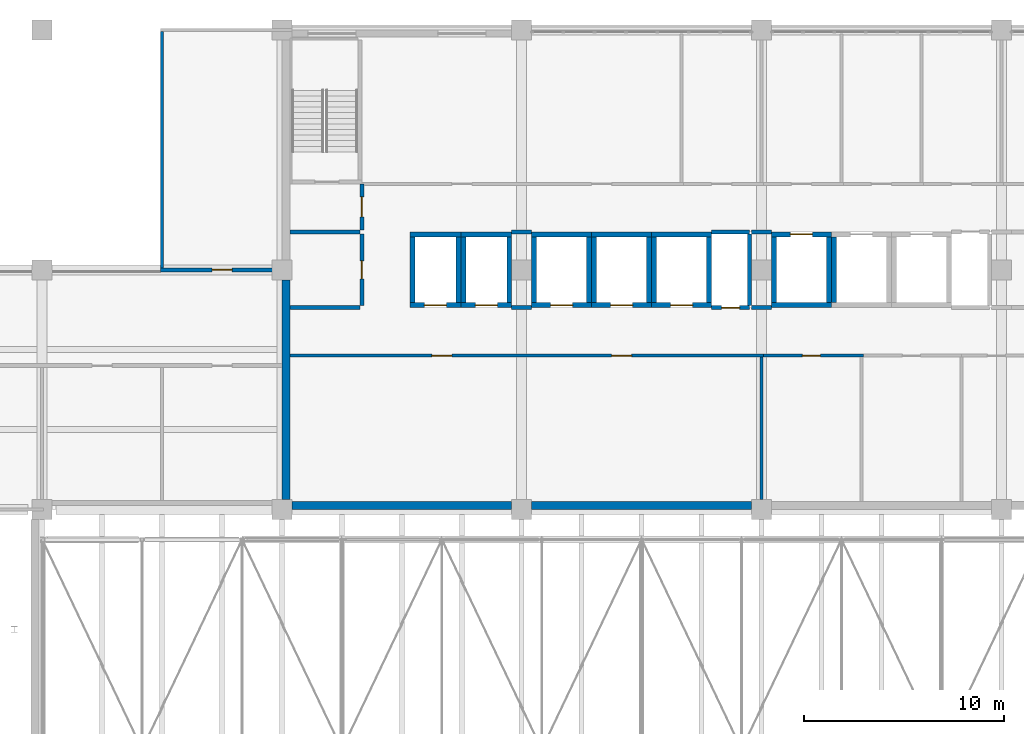
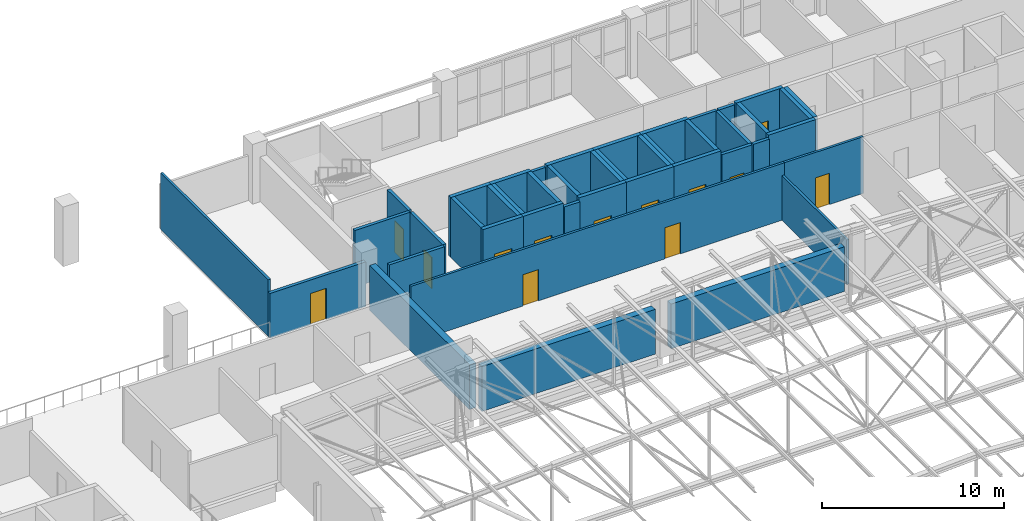
# One storey, part 148 of 156: 44 walls, 13 doors, 13 openings.
"""IFC4 building model written with IfcOpenShell, lengths in metres."""

from ifc_helpers import new_model, si_unit, direction, frame, frame_2d, origin, place, context, subcontext, project, spatial, rectangle, extrude, material, layer, layer_set, type_object, element, fill, save


model = new_model("IFC4")

# Units and contexts
model_context = context("Model", 3, precision=1e-05, world=origin(), true_north=direction((0.0, 1.0)))
body_context = subcontext(model_context, "Body", "Model", "MODEL_VIEW")
ifc_project = project(units=[si_unit("LENGTHUNIT", "METRE"), si_unit("AREAUNIT", "SQUARE_METRE"), si_unit("VOLUMEUNIT", "CUBIC_METRE"), si_unit("PLANEANGLEUNIT", "RADIAN"), si_unit("MASSUNIT", "GRAM", prefix="KILO")], contexts=[model_context])

# Site, building, storey
site_placement = place(None, origin())
site = spatial("IfcSite", under=ifc_project, at=site_placement, CompositionType="ELEMENT")
building_placement = place(site_placement, origin())
building = spatial("IfcBuilding", under=site, at=building_placement, Name="Lilac Gate Convention Centre", CompositionType="ELEMENT")
storey_placement = place(building_placement, frame((0.0, 0.0, 17.0)))
storey = spatial("IfcBuildingStorey", under=building, at=storey_placement, Name="L03", CompositionType="ELEMENT", Elevation=17.0)

# Wall, opening, door
ifc_material_1 = material(Name="Concrete C60", Category="concrete")
ifc_layer_1 = layer(ifc_material_1, 0.25)
ifc_layer_set_1 = layer_set([ifc_layer_1], Name="Concrete C60")
wall_type_1 = type_object("IfcWallType", Name="Core wall 250 C60", PredefinedType="SHEAR", material=ifc_layer_set_1)
wall_1_placement = place(storey_placement, frame((54.5, 232.22509765625, 0.0), z_axis=(0.0, 0.0, 1.0), x_axis=(1.0, 0.0, 0.0)))
wall_1 = element("IfcWall", 1, at=wall_1_placement, inside=storey, type_object=wall_type_1, Name="CRW3 core wall TC L03 1", PredefinedType="SHEAR", context=body_context, shape_type="SweptSolid", body=[
    extrude(rectangle(XDim=3.0, YDim=0.25, at=frame_2d((1.5, 0.0))), origin(), (0.0, 0.0, 1.0), 4.0),
])
opening_1_placement = place(wall_1_placement, frame((0.949951171875, 0.0, 0.0)))
opening_1 = element("IfcOpeningElement", 2, at=opening_1_placement, cuts=wall_1, Name="Opening T03-022", PredefinedType="OPENING", context=body_context, shape_type="SweptSolid", body=[
    extrude(rectangle(XDim=1.10009765625, YDim=2.10009765625, at=frame_2d((0.550048828125, 1.050048828125))), frame((0.0, 0.135009765625, 0.0), z_axis=(0.0, -1.0, 0.0), x_axis=(1.0, 0.0, 0.0)), (0.0, 0.0, 1.0), 0.27001953125),
])
ifc_material_2 = material(Name="Stainless steel 304", Category="steel")
door_type_1 = type_object("IfcDoorType", Name="Lift landing door 1100", OperationType="SLIDING_TO_LEFT", PredefinedType="DOOR", material=ifc_material_2)
door_1_placement = place(opening_1_placement, origin())
door_1 = element("IfcDoor", 3, at=door_1_placement, inside=storey, type_object=door_type_1, Name="Lift landing door TP1 L03", OperationType="SLIDING_TO_LEFT", OverallHeight=2.10009765625, OverallWidth=1.10009765625, PredefinedType="DOOR", context=body_context, shape_type="SweptSolid", body=[
    extrude(rectangle(XDim=1.10009765625, YDim=2.10009765625, at=frame_2d((0.550048828125, 1.050048828125))), frame((0.0, 0.02490234375, 0.0), z_axis=(0.0, -1.0, 0.0), x_axis=(1.0, 0.0, 0.0)), (0.0, 0.0, 1.0), 0.050048828125),
])
fill(opening_1, door_1)

# Walls
wall_2_placement = place(storey_placement, frame((54.5, 235.77490234375, 0.0), z_axis=(0.0, 0.0, 1.0), x_axis=(1.0, 0.0, 0.0)))
element("IfcWall", 4, at=wall_2_placement, inside=storey, type_object=wall_type_1, Name="CRW3 core wall TC L03 2", PredefinedType="SHEAR", context=body_context, shape_type="SweptSolid", body=[
    extrude(rectangle(XDim=3.0, YDim=0.25, at=frame_2d((1.5, 0.0))), origin(), (0.0, 0.0, 1.0), 4.0),
])
for number, where, z_axis, x_axis, name in (
    (5, (54.625, 232.35009765625, 0.0), (0.0, 0.0, 1.0), (0.0, 1.0, 0.0), "CRW3 core wall TC L03 3"),
    (6, (57.375, 232.35009765625, 0.0), (0.0, 0.0, 1.0), (0.0, 1.0, 0.0), "CRW3 core wall TC L03 4"),
):
    element("IfcWall", number, at=place(storey_placement, frame(where, z_axis=z_axis, x_axis=x_axis)), inside=storey, type_object=wall_type_1, Name=name, PredefinedType="SHEAR", context=body_context, shape_type="SweptSolid", body=[
        extrude(rectangle(XDim=3.2998046875, YDim=0.25, at=frame_2d((1.64990234375, 0.0))), origin(), (0.0, 0.0, 1.0), 4.0),
    ])

# Wall, opening, door
wall_3_placement = place(storey_placement, frame((57.5, 232.22509765625, 0.0), z_axis=(0.0, 0.0, 1.0), x_axis=(1.0, 0.0, 0.0)))
wall_3 = element("IfcWall", 7, at=wall_3_placement, inside=storey, type_object=wall_type_1, Name="CRW3 core wall TC L03 5", PredefinedType="SHEAR", context=body_context, shape_type="SweptSolid", body=[
    extrude(rectangle(XDim=3.0, YDim=0.25, at=frame_2d((1.5, 0.0))), origin(), (0.0, 0.0, 1.0), 4.0),
])
opening_2_placement = place(wall_3_placement, frame((0.949951171875, 0.0, 0.0)))
opening_2 = element("IfcOpeningElement", 8, at=opening_2_placement, cuts=wall_3, Name="Opening T03-023", PredefinedType="OPENING", context=body_context, shape_type="SweptSolid", body=[
    extrude(rectangle(XDim=1.10009765625, YDim=2.10009765625, at=frame_2d((0.550048828125, 1.050048828125))), frame((0.0, 0.135009765625, 0.0), z_axis=(0.0, -1.0, 0.0), x_axis=(1.0, 0.0, 0.0)), (0.0, 0.0, 1.0), 0.27001953125),
])
door_2_placement = place(opening_2_placement, origin())
door_2 = element("IfcDoor", 9, at=door_2_placement, inside=storey, type_object=door_type_1, Name="Lift landing door TP2 L03", OperationType="SLIDING_TO_LEFT", OverallHeight=2.10009765625, OverallWidth=1.10009765625, PredefinedType="DOOR", context=body_context, shape_type="SweptSolid", body=[
    extrude(rectangle(XDim=1.10009765625, YDim=2.10009765625, at=frame_2d((0.550048828125, 1.050048828125))), frame((0.0, 0.02490234375, 0.0), z_axis=(0.0, -1.0, 0.0), x_axis=(1.0, 0.0, 0.0)), (0.0, 0.0, 1.0), 0.050048828125),
])
fill(opening_2, door_2)

# Walls
wall_4_placement = place(storey_placement, frame((57.5, 235.77490234375, 0.0), z_axis=(0.0, 0.0, 1.0), x_axis=(1.0, 0.0, 0.0)))
element("IfcWall", 10, at=wall_4_placement, inside=storey, type_object=wall_type_1, Name="CRW3 core wall TC L03 6", PredefinedType="SHEAR", context=body_context, shape_type="SweptSolid", body=[
    extrude(rectangle(XDim=3.0, YDim=0.25, at=frame_2d((1.5, 0.0))), origin(), (0.0, 0.0, 1.0), 4.0),
])
for number, where, z_axis, x_axis, name in (
    (11, (57.625, 232.35009765625, 0.0), (0.0, 0.0, 1.0), (0.0, 1.0, 0.0), "CRW3 core wall TC L03 7"),
    (12, (60.375, 232.35009765625, 0.0), (0.0, 0.0, 1.0), (0.0, 1.0, 0.0), "CRW3 core wall TC L03 8"),
):
    element("IfcWall", number, at=place(storey_placement, frame(where, z_axis=z_axis, x_axis=x_axis)), inside=storey, type_object=wall_type_1, Name=name, PredefinedType="SHEAR", context=body_context, shape_type="SweptSolid", body=[
        extrude(rectangle(XDim=3.2998046875, YDim=0.25, at=frame_2d((1.64990234375, 0.0))), origin(), (0.0, 0.0, 1.0), 4.0),
    ])

# Wall, opening, door
wall_5_placement = place(storey_placement, frame((60.5, 232.22509765625, 0.0), z_axis=(0.0, 0.0, 1.0), x_axis=(1.0, 0.0, 0.0)))
wall_5 = element("IfcWall", 13, at=wall_5_placement, inside=storey, type_object=wall_type_1, Name="CRW3 core wall TC L03 9", PredefinedType="SHEAR", context=body_context, shape_type="SweptSolid", body=[
    extrude(rectangle(XDim=3.0, YDim=0.25, at=frame_2d((1.5, 0.0))), origin(), (0.0, 0.0, 1.0), 4.0),
])
opening_3_placement = place(wall_5_placement, frame((0.949951171875, 0.0, 0.0)))
opening_3 = element("IfcOpeningElement", 14, at=opening_3_placement, cuts=wall_5, Name="Opening T03-024", PredefinedType="OPENING", context=body_context, shape_type="SweptSolid", body=[
    extrude(rectangle(XDim=1.10009765625, YDim=2.10009765625, at=frame_2d((0.550048828125, 1.050048828125))), frame((0.0, 0.135009765625, 0.0), z_axis=(0.0, -1.0, 0.0), x_axis=(1.0, 0.0, 0.0)), (0.0, 0.0, 1.0), 0.27001953125),
])
door_3_placement = place(opening_3_placement, origin())
door_3 = element("IfcDoor", 15, at=door_3_placement, inside=storey, type_object=door_type_1, Name="Lift landing door TP3 L03", OperationType="SLIDING_TO_LEFT", OverallHeight=2.10009765625, OverallWidth=1.10009765625, PredefinedType="DOOR", context=body_context, shape_type="SweptSolid", body=[
    extrude(rectangle(XDim=1.10009765625, YDim=2.10009765625, at=frame_2d((0.550048828125, 1.050048828125))), frame((0.0, 0.02490234375, 0.0), z_axis=(0.0, -1.0, 0.0), x_axis=(1.0, 0.0, 0.0)), (0.0, 0.0, 1.0), 0.050048828125),
])
fill(opening_3, door_3)

# Walls
wall_6_placement = place(storey_placement, frame((60.5, 235.77490234375, 0.0), z_axis=(0.0, 0.0, 1.0), x_axis=(1.0, 0.0, 0.0)))
element("IfcWall", 16, at=wall_6_placement, inside=storey, type_object=wall_type_1, Name="CRW3 core wall TC L03 10", PredefinedType="SHEAR", context=body_context, shape_type="SweptSolid", body=[
    extrude(rectangle(XDim=3.0, YDim=0.25, at=frame_2d((1.5, 0.0))), origin(), (0.0, 0.0, 1.0), 4.0),
])
for number, where, z_axis, x_axis, name in (
    (17, (60.625, 232.35009765625, 0.0), (0.0, 0.0, 1.0), (0.0, 1.0, 0.0), "CRW3 core wall TC L03 11"),
    (18, (63.375, 232.35009765625, 0.0), (0.0, 0.0, 1.0), (0.0, 1.0, 0.0), "CRW3 core wall TC L03 12"),
):
    element("IfcWall", number, at=place(storey_placement, frame(where, z_axis=z_axis, x_axis=x_axis)), inside=storey, type_object=wall_type_1, Name=name, PredefinedType="SHEAR", context=body_context, shape_type="SweptSolid", body=[
        extrude(rectangle(XDim=3.2998046875, YDim=0.25, at=frame_2d((1.64990234375, 0.0))), origin(), (0.0, 0.0, 1.0), 4.0),
    ])
wall_7_placement = place(storey_placement, frame((66.5, 232.22509765625, 0.0), z_axis=(0.0, 0.0, 1.0), x_axis=(1.0, 0.0, 0.0)))
element("IfcWall", 19, at=wall_7_placement, inside=storey, type_object=wall_type_1, Name="CRW3 core wall TC L03 13", PredefinedType="SHEAR", context=body_context, shape_type="SweptSolid", body=[
    extrude(rectangle(XDim=3.0, YDim=0.25, at=frame_2d((1.5, 0.0))), origin(), (0.0, 0.0, 1.0), 4.0),
])

# Wall, opening, door
wall_8_placement = place(storey_placement, frame((66.5, 235.77490234375, 0.0), z_axis=(0.0, 0.0, 1.0), x_axis=(1.0, 0.0, 0.0)))
wall_8 = element("IfcWall", 20, at=wall_8_placement, inside=storey, type_object=wall_type_1, Name="CRW3 core wall TC L03 14", PredefinedType="SHEAR", context=body_context, shape_type="SweptSolid", body=[
    extrude(rectangle(XDim=3.0, YDim=0.25, at=frame_2d((1.5, 0.0))), origin(), (0.0, 0.0, 1.0), 4.0),
])
opening_4_placement = place(wall_8_placement, frame((0.949951171875, 0.0, 0.0)))
opening_4 = element("IfcOpeningElement", 21, at=opening_4_placement, cuts=wall_8, Name="Opening T03-025", PredefinedType="OPENING", context=body_context, shape_type="SweptSolid", body=[
    extrude(rectangle(XDim=1.10009765625, YDim=2.10009765625, at=frame_2d((0.550048828125, 1.050048828125))), frame((0.0, 0.135009765625, 0.0), z_axis=(0.0, -1.0, 0.0), x_axis=(1.0, 0.0, 0.0)), (0.0, 0.0, 1.0), 0.27001953125),
])
door_4_placement = place(opening_4_placement, origin())
door_4 = element("IfcDoor", 22, at=door_4_placement, inside=storey, type_object=door_type_1, Name="Lift landing door TP4 L03", OperationType="SLIDING_TO_LEFT", OverallHeight=2.10009765625, OverallWidth=1.10009765625, PredefinedType="DOOR", context=body_context, shape_type="SweptSolid", body=[
    extrude(rectangle(XDim=1.10009765625, YDim=2.10009765625, at=frame_2d((0.550048828125, 1.050048828125))), frame((0.0, 0.02490234375, 0.0), z_axis=(0.0, -1.0, 0.0), x_axis=(1.0, 0.0, 0.0)), (0.0, 0.0, 1.0), 0.050048828125),
])
fill(opening_4, door_4)

# Walls
for number, where, z_axis, x_axis, name in (
    (23, (66.625, 232.35009765625, 0.0), (0.0, 0.0, 1.0), (0.0, 1.0, 0.0), "CRW3 core wall TC L03 15"),
    (24, (69.375, 232.35009765625, 0.0), (0.0, 0.0, 1.0), (0.0, 1.0, 0.0), "CRW3 core wall TC L03 16"),
    (25, (69.625, 232.35009765625, 0.0), (0.0, 0.0, 1.0), (0.0, 1.0, 0.0), "CRW3 core wall TC L03 19"),
):
    element("IfcWall", number, at=place(storey_placement, frame(where, z_axis=z_axis, x_axis=x_axis)), inside=storey, type_object=wall_type_1, Name=name, PredefinedType="SHEAR", context=body_context, shape_type="SweptSolid", body=[
        extrude(rectangle(XDim=3.2998046875, YDim=0.25, at=frame_2d((1.64990234375, 0.0))), origin(), (0.0, 0.0, 1.0), 4.0),
    ])

# Wall, opening, door
wall_9_placement = place(storey_placement, frame((48.39990234375, 232.22509765625, 0.0), z_axis=(0.0, 0.0, 1.0), x_axis=(1.0, 0.0, 0.0)))
wall_9 = element("IfcWall", 26, at=wall_9_placement, inside=storey, type_object=wall_type_1, Name="CRW3 core wall TC L03 25", PredefinedType="SHEAR", context=body_context, shape_type="SweptSolid", body=[
    extrude(rectangle(XDim=2.550048828125, YDim=0.25, at=frame_2d((1.27490234375, 0.0))), origin(), (0.0, 0.0, 1.0), 4.0),
])
opening_5_placement = place(wall_9_placement, frame((0.72509765625, 0.0, 0.0)))
opening_5 = element("IfcOpeningElement", 27, at=opening_5_placement, cuts=wall_9, Name="Opening T03-028", PredefinedType="OPENING", context=body_context, shape_type="SweptSolid", body=[
    extrude(rectangle(XDim=1.10009765625, YDim=2.10009765625, at=frame_2d((0.550048828125, 1.050048828125))), frame((0.0, 0.135009765625, 0.0), z_axis=(0.0, -1.0, 0.0), x_axis=(1.0, 0.0, 0.0)), (0.0, 0.0, 1.0), 0.27001953125),
])
door_5_placement = place(opening_5_placement, origin())
door_5 = element("IfcDoor", 28, at=door_5_placement, inside=storey, type_object=door_type_1, Name="Lift landing door TS1 L03", OperationType="SLIDING_TO_LEFT", OverallHeight=2.10009765625, OverallWidth=1.10009765625, PredefinedType="DOOR", context=body_context, shape_type="SweptSolid", body=[
    extrude(rectangle(XDim=1.10009765625, YDim=2.10009765625, at=frame_2d((0.550048828125, 1.050048828125))), frame((0.0, 0.02490234375, 0.0), z_axis=(0.0, -1.0, 0.0), x_axis=(1.0, 0.0, 0.0)), (0.0, 0.0, 1.0), 0.050048828125),
])
fill(opening_5, door_5)

# Walls
wall_10_placement = place(storey_placement, frame((48.39990234375, 235.77490234375, 0.0), z_axis=(0.0, 0.0, 1.0), x_axis=(1.0, 0.0, 0.0)))
element("IfcWall", 29, at=wall_10_placement, inside=storey, type_object=wall_type_1, Name="CRW3 core wall TC L03 26", PredefinedType="SHEAR", context=body_context, shape_type="SweptSolid", body=[
    extrude(rectangle(XDim=2.550048828125, YDim=0.25, at=frame_2d((1.27490234375, 0.0))), origin(), (0.0, 0.0, 1.0), 4.0),
])
for number, where, z_axis, x_axis, name in (
    (30, (48.52490234375, 232.35009765625, 0.0), (0.0, 0.0, 1.0), (0.0, 1.0, 0.0), "CRW3 core wall TC L03 27"),
    (31, (50.824951171875, 232.35009765625, 0.0), (0.0, 0.0, 1.0), (0.0, 1.0, 0.0), "CRW3 core wall TC L03 28"),
):
    element("IfcWall", number, at=place(storey_placement, frame(where, z_axis=z_axis, x_axis=x_axis)), inside=storey, type_object=wall_type_1, Name=name, PredefinedType="SHEAR", context=body_context, shape_type="SweptSolid", body=[
        extrude(rectangle(XDim=3.2998046875, YDim=0.25, at=frame_2d((1.64990234375, 0.0))), origin(), (0.0, 0.0, 1.0), 4.0),
    ])

# Wall, opening, door
wall_11_placement = place(storey_placement, frame((50.949951171875, 232.22509765625, 0.0), z_axis=(0.0, 0.0, 1.0), x_axis=(1.0, 0.0, 0.0)))
wall_11 = element("IfcWall", 32, at=wall_11_placement, inside=storey, type_object=wall_type_1, Name="CRW3 core wall TC L03 29", PredefinedType="SHEAR", context=body_context, shape_type="SweptSolid", body=[
    extrude(rectangle(XDim=2.550048828125, YDim=0.25, at=frame_2d((1.27490234375, 0.0))), origin(), (0.0, 0.0, 1.0), 4.0),
])
opening_6_placement = place(wall_11_placement, frame((0.72509765625, 0.0, 0.0)))
opening_6 = element("IfcOpeningElement", 33, at=opening_6_placement, cuts=wall_11, Name="Opening T03-029", PredefinedType="OPENING", context=body_context, shape_type="SweptSolid", body=[
    extrude(rectangle(XDim=1.10009765625, YDim=2.10009765625, at=frame_2d((0.550048828125, 1.050048828125))), frame((0.0, 0.135009765625, 0.0), z_axis=(0.0, -1.0, 0.0), x_axis=(1.0, 0.0, 0.0)), (0.0, 0.0, 1.0), 0.27001953125),
])
door_6_placement = place(opening_6_placement, origin())
door_6 = element("IfcDoor", 34, at=door_6_placement, inside=storey, type_object=door_type_1, Name="Lift landing door TS2 L03", OperationType="SLIDING_TO_LEFT", OverallHeight=2.10009765625, OverallWidth=1.10009765625, PredefinedType="DOOR", context=body_context, shape_type="SweptSolid", body=[
    extrude(rectangle(XDim=1.10009765625, YDim=2.10009765625, at=frame_2d((0.550048828125, 1.050048828125))), frame((0.0, 0.02490234375, 0.0), z_axis=(0.0, -1.0, 0.0), x_axis=(1.0, 0.0, 0.0)), (0.0, 0.0, 1.0), 0.050048828125),
])
fill(opening_6, door_6)

# Walls
wall_12_placement = place(storey_placement, frame((50.949951171875, 235.77490234375, 0.0), z_axis=(0.0, 0.0, 1.0), x_axis=(1.0, 0.0, 0.0)))
element("IfcWall", 35, at=wall_12_placement, inside=storey, type_object=wall_type_1, Name="CRW3 core wall TC L03 30", PredefinedType="SHEAR", context=body_context, shape_type="SweptSolid", body=[
    extrude(rectangle(XDim=2.550048828125, YDim=0.25, at=frame_2d((1.27490234375, 0.0))), origin(), (0.0, 0.0, 1.0), 4.0),
])
for number, where, z_axis, x_axis, name in (
    (36, (51.074951171875, 232.35009765625, 0.0), (0.0, 0.0, 1.0), (0.0, 1.0, 0.0), "CRW3 core wall TC L03 31"),
    (37, (53.375, 232.35009765625, 0.0), (0.0, 0.0, 1.0), (0.0, 1.0, 0.0), "CRW3 core wall TC L03 32"),
):
    element("IfcWall", number, at=place(storey_placement, frame(where, z_axis=z_axis, x_axis=x_axis)), inside=storey, type_object=wall_type_1, Name=name, PredefinedType="SHEAR", context=body_context, shape_type="SweptSolid", body=[
        extrude(rectangle(XDim=3.2998046875, YDim=0.25, at=frame_2d((1.64990234375, 0.0))), origin(), (0.0, 0.0, 1.0), 4.0),
    ])

# Wall, openings, doors
ifc_material_3 = material(Name="Gypsum board on steel stud", Category="steel")
ifc_layer_2 = layer(ifc_material_3, 0.14990234375)
ifc_layer_set_2 = layer_set([ifc_layer_2], Name="Gypsum board on steel stud")
wall_type_2 = type_object("IfcWallType", Name="Corridor wall 150", PredefinedType="PARTITIONING", material=ifc_layer_set_2)
wall_13_placement = place(storey_placement, frame((66.10009765625, 229.699951171875, 0.0), z_axis=(0.0, 0.0, 1.0), x_axis=(-1.0, 0.0, 0.0)))
wall_13 = element("IfcWall", 38, at=wall_13_placement, inside=storey, type_object=wall_type_2, Name="Corridor wall 150 front FIT", PredefinedType="PARTITIONING", context=body_context, shape_type="SweptSolid", body=[
    extrude(rectangle(XDim=23.7001953125, YDim=0.14990234375, at=frame_2d((11.85009765625, 0.0))), origin(), (0.0, 0.0, 1.0), 3.800048828125),
])
opening_7_placement = place(wall_13_placement, frame((15.60009765625, 0.0, 0.0)))
opening_7 = element("IfcOpeningElement", 39, at=opening_7_placement, cuts=wall_13, Name="Opening T03-008", PredefinedType="OPENING", context=body_context, shape_type="SweptSolid", body=[
    extrude(rectangle(XDim=1.0, YDim=2.10009765625, at=frame_2d((0.5, 1.050048828125))), frame((0.0, 0.0849609375, 0.0), z_axis=(0.0, -1.0, 0.0), x_axis=(1.0, 0.0, 0.0)), (0.0, 0.0, 1.0), 0.169921875),
])
opening_8_placement = place(wall_13_placement, frame((6.60009765625, 0.0, 0.0)))
opening_8 = element("IfcOpeningElement", 40, at=opening_8_placement, cuts=wall_13, Name="Opening T03-009", PredefinedType="OPENING", context=body_context, shape_type="SweptSolid", body=[
    extrude(rectangle(XDim=1.0, YDim=2.10009765625, at=frame_2d((0.5, 1.050048828125))), frame((0.0, 0.0849609375, 0.0), z_axis=(0.0, -1.0, 0.0), x_axis=(1.0, 0.0, 0.0)), (0.0, 0.0, 1.0), 0.169921875),
])
ifc_material_4 = material(Name="Timber", Category="wood")
door_type_2 = type_object("IfcDoorType", Name="Room door 1000", OperationType="SINGLE_SWING_LEFT", PredefinedType="DOOR", material=ifc_material_4)
door_7_placement = place(opening_7_placement, origin())
door_7 = element("IfcDoor", 41, at=door_7_placement, inside=storey, type_object=door_type_2, Name="Fitness Centre door", OperationType="SINGLE_SWING_RIGHT", OverallHeight=2.10009765625, OverallWidth=1.0, PredefinedType="DOOR", context=body_context, shape_type="SweptSolid", body=[
    extrude(rectangle(XDim=1.0, YDim=2.10009765625, at=frame_2d((0.5, 1.050048828125))), frame((0.0, 0.02490234375, 0.0), z_axis=(0.0, -1.0, 0.0), x_axis=(1.0, 0.0, 0.0)), (0.0, 0.0, 1.0), 0.050048828125),
])
fill(opening_7, door_7)
door_8_placement = place(opening_8_placement, origin())
door_8 = element("IfcDoor", 42, at=door_8_placement, inside=storey, type_object=door_type_2, Name="Fitness Centre door", OperationType="SINGLE_SWING_LEFT", OverallHeight=2.10009765625, OverallWidth=1.0, PredefinedType="DOOR", context=body_context, shape_type="SweptSolid", body=[
    extrude(rectangle(XDim=1.0, YDim=2.10009765625, at=frame_2d((0.5, 1.050048828125))), frame((0.0, 0.02490234375, 0.0), z_axis=(0.0, -1.0, 0.0), x_axis=(1.0, 0.0, 0.0)), (0.0, 0.0, 1.0), 0.050048828125),
])
fill(opening_8, door_8)

# Wall, opening, door
wall_14_placement = place(storey_placement, frame((71.10009765625, 229.699951171875, 0.0), z_axis=(0.0, 0.0, 1.0), x_axis=(-1.0, 0.0, 0.0)))
wall_14 = element("IfcWall", 43, at=wall_14_placement, inside=storey, type_object=wall_type_2, Name="Corridor wall 150 front CHM", PredefinedType="PARTITIONING", context=body_context, shape_type="SweptSolid", body=[
    extrude(rectangle(XDim=5.0, YDim=0.14990234375, at=frame_2d((2.5, 0.0))), origin(), (0.0, 0.0, 1.0), 3.800048828125),
])
opening_9_placement = place(wall_14_placement, frame((2.14990234375, 0.0, 0.0)))
opening_9 = element("IfcOpeningElement", 44, at=opening_9_placement, cuts=wall_14, Name="Opening T03-010", PredefinedType="OPENING", context=body_context, shape_type="SweptSolid", body=[
    extrude(rectangle(XDim=0.89990234375, YDim=2.10009765625, at=frame_2d((0.449951171875, 1.050048828125))), frame((0.0, 0.0849609375, 0.0), z_axis=(0.0, -1.0, 0.0), x_axis=(1.0, 0.0, 0.0)), (0.0, 0.0, 1.0), 0.169921875),
])
door_type_3 = type_object("IfcDoorType", Name="WC door 900", OperationType="SINGLE_SWING_LEFT", PredefinedType="DOOR", material=ifc_material_4)
door_9_placement = place(opening_9_placement, origin())
door_9 = element("IfcDoor", 45, at=door_9_placement, inside=storey, type_object=door_type_3, Name="Changing Room door", OperationType="SINGLE_SWING_LEFT", OverallHeight=2.10009765625, OverallWidth=0.89990234375, PredefinedType="DOOR", context=body_context, shape_type="SweptSolid", body=[
    extrude(rectangle(XDim=0.89990234375, YDim=2.10009765625, at=frame_2d((0.449951171875, 1.050048828125))), frame((0.0, 0.02490234375, 0.0), z_axis=(0.0, -1.0, 0.0), x_axis=(1.0, 0.0, 0.0)), (0.0, 0.0, 1.0), 0.050048828125),
])
fill(opening_9, door_9)

# Walls
ifc_material_5 = material(Name="Concrete C30", Category="concrete")
ifc_layer_3 = layer(ifc_material_5, 0.39990234375)
ifc_layer_set_3 = layer_set([ifc_layer_3], Name="Concrete C30")
wall_type_3 = type_object("IfcWallType", Name="Hall fire wall 400", PredefinedType="SOLIDWALL", material=ifc_layer_set_3)
for number, where, z_axis, x_axis, name in (
    (46, (42.5, 222.199951171875, 0.0), (0.0, 0.0, 1.0), (1.0, 0.0, 0.0), "Compartment wall S L03 1"),
    (47, (54.5, 222.199951171875, 0.0), (0.0, 0.0, 1.0), (1.0, 0.0, 0.0), "Compartment wall S L03 2"),
    (48, (42.199951171875, 233.5, 0.0), (0.0, 0.0, 1.0), (0.0, -1.0, 0.0), "Compartment wall W L03 2"),
):
    element("IfcWall", number, at=place(storey_placement, frame(where, z_axis=z_axis, x_axis=x_axis)), inside=storey, type_object=wall_type_3, Name=name, PredefinedType="SOLIDWALL", context=body_context, shape_type="SweptSolid", body=[
        extrude(rectangle(XDim=11.0, YDim=0.39990234375, at=frame_2d((5.5, 0.0))), origin(), (0.0, 0.0, 1.0), 3.0),
    ])

# Wall, opening, door
ifc_layer_4 = layer(ifc_material_3, 0.199951171875)
ifc_layer_set_4 = layer_set([ifc_layer_4], Name="Gypsum board on steel stud")
wall_type_4 = type_object("IfcWallType", Name="Lobby wall 200", PredefinedType="PARTITIONING", material=ifc_layer_set_4)
wall_15_placement = place(storey_placement, frame((46.0, 236.0, 0.0), z_axis=(0.0, 0.0, 1.0), x_axis=(0.0, 1.0, 0.0)))
wall_15 = element("IfcWall", 49, at=wall_15_placement, inside=storey, type_object=wall_type_4, Name="Lobby wall 200 STL-NW-E", PredefinedType="PARTITIONING", context=body_context, shape_type="SweptSolid", body=[
    extrude(rectangle(XDim=2.300048828125, YDim=0.199951171875, at=frame_2d((1.14990234375, 0.0))), origin(), (0.0, 0.0, 1.0), 3.800048828125),
])
opening_10_placement = place(wall_15_placement, frame((0.64990234375, 0.0, 0.0)))
opening_10 = element("IfcOpeningElement", 50, at=opening_10_placement, cuts=wall_15, Name="Opening T03-006", PredefinedType="OPENING", context=body_context, shape_type="SweptSolid", body=[
    extrude(rectangle(XDim=1.0, YDim=2.10009765625, at=frame_2d((0.5, 1.050048828125))), frame((0.0, 0.10986328125, 0.0), z_axis=(0.0, -1.0, 0.0), x_axis=(1.0, 0.0, 0.0)), (0.0, 0.0, 1.0), 0.219970703125),
])
ifc_material_6 = material(Name="Steel Q235B", Category="steel")
door_type_4 = type_object("IfcDoorType", Name="Lobby door 1000", OperationType="SINGLE_SWING_LEFT", PredefinedType="DOOR", material=ifc_material_6)
door_10_placement = place(opening_10_placement, origin())
door_10 = element("IfcDoor", 51, at=door_10_placement, inside=storey, type_object=door_type_4, Name="Stair lobby door NW", OperationType="SINGLE_SWING_LEFT", OverallHeight=2.10009765625, OverallWidth=1.0, PredefinedType="DOOR", context=body_context, shape_type="SweptSolid", body=[
    extrude(rectangle(XDim=1.0, YDim=2.10009765625, at=frame_2d((0.5, 1.050048828125))), frame((0.0, 0.02490234375, 0.0), z_axis=(0.0, -1.0, 0.0), x_axis=(1.0, 0.0, 0.0)), (0.0, 0.0, 1.0), 0.050048828125),
])
fill(opening_10, door_10)

# Wall
ifc_material_7 = material(Name="Fire-rated gypsum board on steel stud", Category="steel")
ifc_layer_5 = layer(ifc_material_7, 0.14990234375)
ifc_layer_set_5 = layer_set([ifc_layer_5], Name="Fire-rated gypsum board on steel stud")
wall_type_5 = type_object("IfcWallType", Name="Partition 150 fire-rated gypsum board EI 60", PredefinedType="PARTITIONING", material=ifc_layer_set_5)
wall_16_placement = place(storey_placement, frame((36.0, 234.10009765625, 0.0), z_axis=(0.0, 0.0, 1.0), x_axis=(0.0, 1.0, 0.0)))
element("IfcWall", 52, at=wall_16_placement, inside=storey, type_object=wall_type_5, Name="Partition 150 fire-rated gypsum board EI 60", PredefinedType="PARTITIONING", context=body_context, shape_type="SweptSolid", body=[
    extrude(rectangle(XDim=11.824951171875, YDim=0.14990234375, at=frame_2d((5.91259765625, 0.0))), origin(), (0.0, 0.0, 1.0), 3.800048828125),
])

# Wall, opening, door
ifc_material_8 = material(Name="Clay brick masonry", Category="masonry")
ifc_layer_6 = layer(ifc_material_8, 0.199951171875)
ifc_layer_set_6 = layer_set([ifc_layer_6], Name="Clay brick masonry")
wall_type_6 = type_object("IfcWallType", Name="Partition 200 brick EI 60", PredefinedType="PARTITIONING", material=ifc_layer_set_6)
wall_17_placement = place(storey_placement, frame((35.925048828125, 234.0, 0.0), z_axis=(0.0, 0.0, 1.0), x_axis=(1.0, 0.0, 0.0)))
wall_17 = element("IfcWall", 53, at=wall_17_placement, inside=storey, type_object=wall_type_6, Name="Partition 200 brick EI 60", PredefinedType="PARTITIONING", context=body_context, shape_type="SweptSolid", body=[
    extrude(rectangle(XDim=6.074951171875, YDim=0.199951171875, at=frame_2d((3.03759765625, 0.0))), origin(), (0.0, 0.0, 1.0), 3.0),
])
opening_11_placement = place(wall_17_placement, frame((2.574951171875, 0.0, 0.0)))
opening_11 = element("IfcOpeningElement", 54, at=opening_11_placement, cuts=wall_17, Name="Opening L03-063", PredefinedType="OPENING", context=body_context, shape_type="SweptSolid", body=[
    extrude(rectangle(XDim=1.0, YDim=2.10009765625, at=frame_2d((0.5, 1.050048828125))), frame((0.0, 0.10986328125, 0.0), z_axis=(0.0, -1.0, 0.0), x_axis=(1.0, 0.0, 0.0)), (0.0, 0.0, 1.0), 0.219970703125),
])
ifc_material_9 = material(Name="Timber fire door leaf", Category="wood")
door_type_5 = type_object("IfcDoorType", Name="Door 1000 x 2100 single leaf FD30", OperationType="SINGLE_SWING_LEFT", PredefinedType="DOOR", material=ifc_material_9)
door_11_placement = place(opening_11_placement, origin())
door_11 = element("IfcDoor", 55, at=door_11_placement, inside=storey, type_object=door_type_5, Name="Office door L03-063", OperationType="SINGLE_SWING_RIGHT", OverallHeight=2.10009765625, OverallWidth=1.0, PredefinedType="DOOR", context=body_context, shape_type="SweptSolid", body=[
    extrude(rectangle(XDim=1.0, YDim=2.10009765625, at=frame_2d((0.5, 1.050048828125))), frame((0.0, 0.02490234375, 0.0), z_axis=(0.0, -1.0, 0.0), x_axis=(1.0, 0.0, 0.0)), (0.0, 0.0, 1.0), 0.050048828125),
])
fill(opening_11, door_11)

# Walls
ifc_layer_7 = layer(ifc_material_3, 0.199951171875)
ifc_layer_set_7 = layer_set([ifc_layer_7], Name="Gypsum board on steel stud")
wall_type_7 = type_object("IfcWallType", Name="Riser and store wall 200", PredefinedType="PARTITIONING", material=ifc_layer_set_7)
wall_18_placement = place(storey_placement, frame((42.39990234375, 232.10009765625, 0.0), z_axis=(0.0, 0.0, 1.0), x_axis=(1.0, 0.0, 0.0)))
element("IfcWall", 56, at=wall_18_placement, inside=storey, type_object=wall_type_7, Name="Riser and store wall 200 HKW-S", PredefinedType="PARTITIONING", context=body_context, shape_type="SweptSolid", body=[
    extrude(rectangle(XDim=3.5, YDim=0.199951171875, at=frame_2d((1.75, 0.0))), origin(), (0.0, 0.0, 1.0), 3.800048828125),
])
wall_19_placement = place(storey_placement, frame((53.5, 232.10009765625, 0.0), z_axis=(0.0, 0.0, 1.0), x_axis=(1.0, 0.0, 0.0)))
element("IfcWall", 57, at=wall_19_placement, inside=storey, type_object=wall_type_7, Name="Riser and store wall 200 NICHE1-S", PredefinedType="PARTITIONING", context=body_context, shape_type="SweptSolid", body=[
    extrude(rectangle(XDim=1.0, YDim=0.199951171875, at=frame_2d((0.5, 0.0))), origin(), (0.0, 0.0, 1.0), 3.800048828125),
])

# Wall, opening, door
wall_20_placement = place(storey_placement, frame((63.5, 232.10009765625, 0.0), z_axis=(0.0, 0.0, 1.0), x_axis=(1.0, 0.0, 0.0)))
wall_20 = element("IfcWall", 58, at=wall_20_placement, inside=storey, type_object=wall_type_7, Name="Riser and store wall 200 RS1-S", PredefinedType="PARTITIONING", context=body_context, shape_type="SweptSolid", body=[
    extrude(rectangle(XDim=1.89990234375, YDim=0.199951171875, at=frame_2d((0.949951171875, 0.0))), origin(), (0.0, 0.0, 1.0), 3.800048828125),
])
opening_12_placement = place(wall_20_placement, frame((0.5, 0.0, 0.0)))
opening_12 = element("IfcOpeningElement", 59, at=opening_12_placement, cuts=wall_20, Name="Opening T03-002", PredefinedType="OPENING", context=body_context, shape_type="SweptSolid", body=[
    extrude(rectangle(XDim=0.89990234375, YDim=2.10009765625, at=frame_2d((0.449951171875, 1.050048828125))), frame((0.0, 0.10986328125, 0.0), z_axis=(0.0, -1.0, 0.0), x_axis=(1.0, 0.0, 0.0)), (0.0, 0.0, 1.0), 0.219970703125),
])
door_type_6 = type_object("IfcDoorType", Name="Riser and store door 900", OperationType="SINGLE_SWING_LEFT", PredefinedType="DOOR", material=ifc_material_6)
door_12_placement = place(opening_12_placement, origin())
door_12 = element("IfcDoor", 60, at=door_12_placement, inside=storey, type_object=door_type_6, Name="Riser room door", OperationType="SINGLE_SWING_RIGHT", OverallHeight=2.10009765625, OverallWidth=0.89990234375, PredefinedType="DOOR", context=body_context, shape_type="SweptSolid", body=[
    extrude(rectangle(XDim=0.89990234375, YDim=2.10009765625, at=frame_2d((0.449951171875, 1.050048828125))), frame((0.0, 0.02490234375, 0.0), z_axis=(0.0, -1.0, 0.0), x_axis=(1.0, 0.0, 0.0)), (0.0, 0.0, 1.0), 0.050048828125),
])
fill(opening_12, door_12)

# Walls
wall_21_placement = place(storey_placement, frame((65.5, 232.10009765625, 0.0), z_axis=(0.0, 0.0, 1.0), x_axis=(1.0, 0.0, 0.0)))
element("IfcWall", 61, at=wall_21_placement, inside=storey, type_object=wall_type_7, Name="Riser and store wall 200 NICHE2-S", PredefinedType="PARTITIONING", context=body_context, shape_type="SweptSolid", body=[
    extrude(rectangle(XDim=1.0, YDim=0.199951171875, at=frame_2d((0.5, 0.0))), origin(), (0.0, 0.0, 1.0), 3.800048828125),
])
wall_22_placement = place(storey_placement, frame((42.39990234375, 235.89990234375, 0.0), z_axis=(0.0, 0.0, 1.0), x_axis=(1.0, 0.0, 0.0)))
element("IfcWall", 62, at=wall_22_placement, inside=storey, type_object=wall_type_7, Name="Riser and store wall 200 HKW-N", PredefinedType="PARTITIONING", context=body_context, shape_type="SweptSolid", body=[
    extrude(rectangle(XDim=3.5, YDim=0.199951171875, at=frame_2d((1.75, 0.0))), origin(), (0.0, 0.0, 1.0), 3.800048828125),
])
wall_23_placement = place(storey_placement, frame((53.5, 235.89990234375, 0.0), z_axis=(0.0, 0.0, 1.0), x_axis=(1.0, 0.0, 0.0)))
element("IfcWall", 63, at=wall_23_placement, inside=storey, type_object=wall_type_7, Name="Riser and store wall 200 NICHE1-N", PredefinedType="PARTITIONING", context=body_context, shape_type="SweptSolid", body=[
    extrude(rectangle(XDim=1.0, YDim=0.199951171875, at=frame_2d((0.5, 0.0))), origin(), (0.0, 0.0, 1.0), 3.800048828125),
])
wall_24_placement = place(storey_placement, frame((63.5, 235.89990234375, 0.0), z_axis=(0.0, 0.0, 1.0), x_axis=(1.0, 0.0, 0.0)))
element("IfcWall", 64, at=wall_24_placement, inside=storey, type_object=wall_type_7, Name="Riser and store wall 200 RS1-N", PredefinedType="PARTITIONING", context=body_context, shape_type="SweptSolid", body=[
    extrude(rectangle(XDim=1.89990234375, YDim=0.199951171875, at=frame_2d((0.949951171875, 0.0))), origin(), (0.0, 0.0, 1.0), 3.800048828125),
])
wall_25_placement = place(storey_placement, frame((65.5, 235.89990234375, 0.0), z_axis=(0.0, 0.0, 1.0), x_axis=(1.0, 0.0, 0.0)))
element("IfcWall", 65, at=wall_25_placement, inside=storey, type_object=wall_type_7, Name="Riser and store wall 200 NICHE2-N", PredefinedType="PARTITIONING", context=body_context, shape_type="SweptSolid", body=[
    extrude(rectangle(XDim=1.0, YDim=0.199951171875, at=frame_2d((0.5, 0.0))), origin(), (0.0, 0.0, 1.0), 3.800048828125),
])

# Wall, opening, door
wall_26_placement = place(storey_placement, frame((46.0, 232.199951171875, 0.0), z_axis=(0.0, 0.0, 1.0), x_axis=(0.0, 1.0, 0.0)))
wall_26 = element("IfcWall", 66, at=wall_26_placement, inside=storey, type_object=wall_type_7, Name="Riser and store wall 200 HKW-E", PredefinedType="PARTITIONING", context=body_context, shape_type="SweptSolid", body=[
    extrude(rectangle(XDim=3.60009765625, YDim=0.199951171875, at=frame_2d((1.800048828125, 0.0))), origin(), (0.0, 0.0, 1.0), 3.800048828125),
])
opening_13_placement = place(wall_26_placement, frame((1.35009765625, 0.0, 0.0)))
opening_13 = element("IfcOpeningElement", 67, at=opening_13_placement, cuts=wall_26, Name="Opening T03-001", PredefinedType="OPENING", context=body_context, shape_type="SweptSolid", body=[
    extrude(rectangle(XDim=0.89990234375, YDim=2.10009765625, at=frame_2d((0.449951171875, 1.050048828125))), frame((0.0, 0.10986328125, 0.0), z_axis=(0.0, -1.0, 0.0), x_axis=(1.0, 0.0, 0.0)), (0.0, 0.0, 1.0), 0.219970703125),
])
door_13_placement = place(opening_13_placement, origin())
door_13 = element("IfcDoor", 68, at=door_13_placement, inside=storey, type_object=door_type_6, Name="Housekeeping door", OperationType="SINGLE_SWING_LEFT", OverallHeight=2.10009765625, OverallWidth=0.89990234375, PredefinedType="DOOR", context=body_context, shape_type="SweptSolid", body=[
    extrude(rectangle(XDim=0.89990234375, YDim=2.10009765625, at=frame_2d((0.449951171875, 1.050048828125))), frame((0.0, 0.02490234375, 0.0), z_axis=(0.0, -1.0, 0.0), x_axis=(1.0, 0.0, 0.0)), (0.0, 0.0, 1.0), 0.050048828125),
])
fill(opening_13, door_13)

# Walls
wall_27_placement = place(storey_placement, frame((65.39990234375, 232.199951171875, 0.0), z_axis=(0.0, 0.0, 1.0), x_axis=(0.0, 1.0, 0.0)))
element("IfcWall", 69, at=wall_27_placement, inside=storey, type_object=wall_type_7, Name="Riser and store wall 200 RS1-E", PredefinedType="PARTITIONING", context=body_context, shape_type="SweptSolid", body=[
    extrude(rectangle(XDim=3.60009765625, YDim=0.199951171875, at=frame_2d((1.800048828125, 0.0))), origin(), (0.0, 0.0, 1.0), 3.800048828125),
])
ifc_layer_8 = layer(ifc_material_3, 0.14990234375)
ifc_layer_set_8 = layer_set([ifc_layer_8], Name="Gypsum board on steel stud")
wall_type_8 = type_object("IfcWallType", Name="Room partition 150", PredefinedType="PARTITIONING", material=ifc_layer_set_8)
wall_28_placement = place(storey_placement, frame((66.0, 222.5, 0.0), z_axis=(0.0, 0.0, 1.0), x_axis=(0.0, 1.0, 0.0)))
element("IfcWall", 70, at=wall_28_placement, inside=storey, type_object=wall_type_8, Name="Room partition 150 part CHM", PredefinedType="PARTITIONING", context=body_context, shape_type="SweptSolid", body=[
    extrude(rectangle(XDim=7.125, YDim=0.14990234375, at=frame_2d((3.5625, 0.0))), origin(), (0.0, 0.0, 1.0), 3.0),
])

save(model, "model.ifc")
